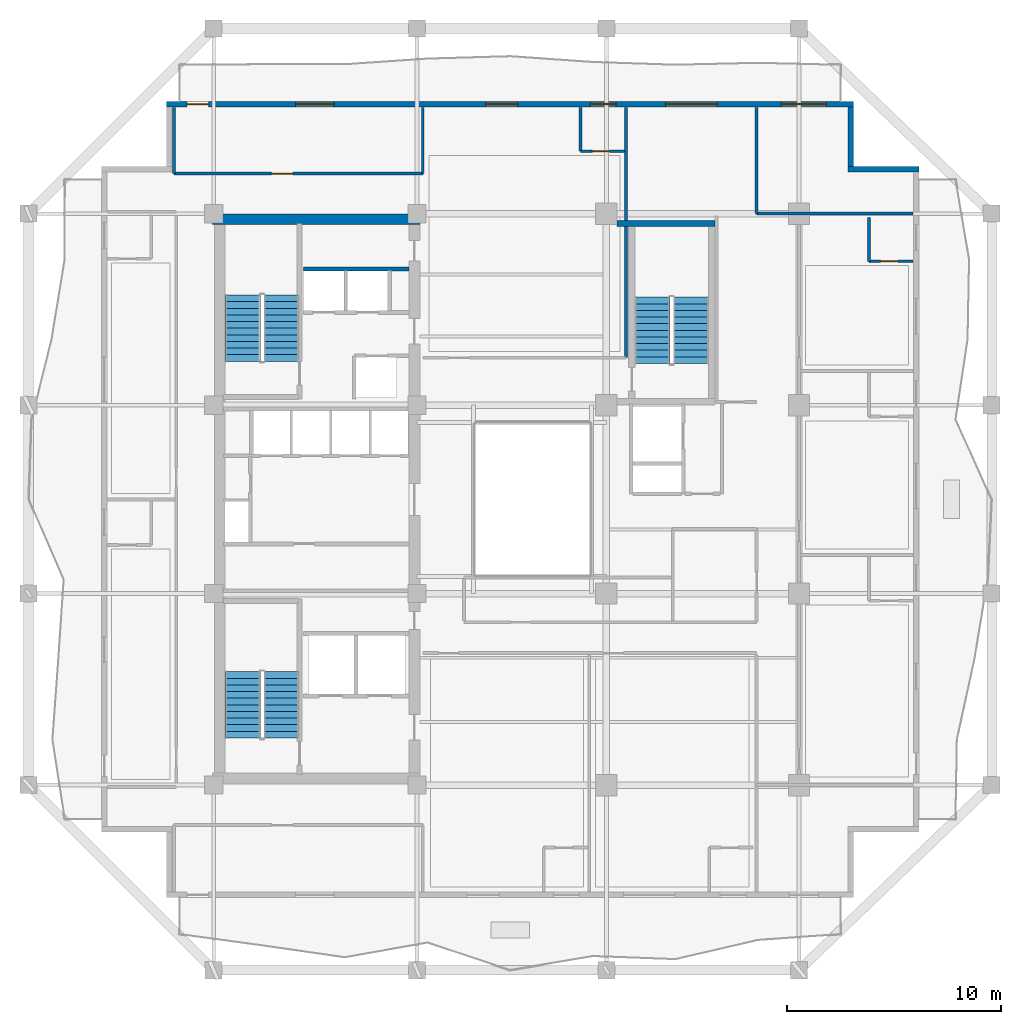
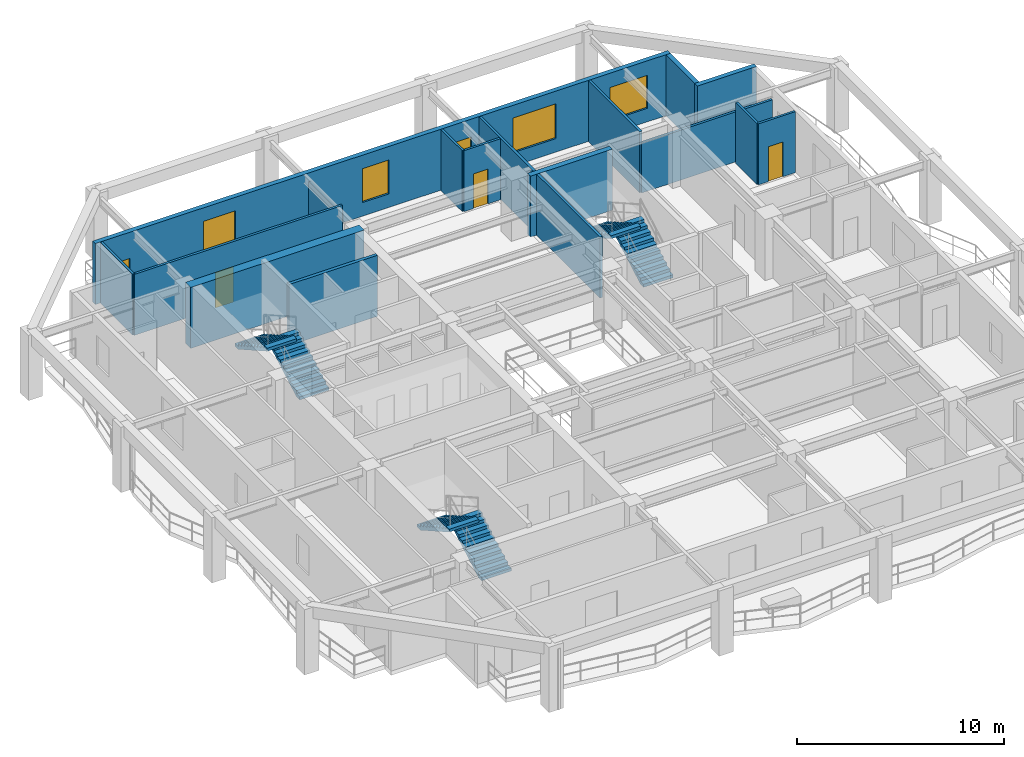
# One storey, part 6 of 10: 16 walls, 6 stair flights, 5 windows, 4 doors, 9 openings, 3 elements without a shape of their own.
"""IFC4 building model written with IfcOpenShell, lengths in metres."""

from ifc_helpers import new_model, si_unit, direction, frame, frame_2d, origin, place, context, subcontext, project, spatial, polyline, rectangle, outline, extrude, material, layer, layer_set, type_object, element, fill, aggregate, save


model = new_model("IFC4")

# Units and contexts
model_context = context("Model", 3, precision=1e-05, world=origin(), true_north=direction((0.0, 1.0)))
body_context = subcontext(model_context, "Body", "Model", "MODEL_VIEW")
ifc_project = project(units=[si_unit("LENGTHUNIT", "METRE"), si_unit("AREAUNIT", "SQUARE_METRE"), si_unit("VOLUMEUNIT", "CUBIC_METRE"), si_unit("PLANEANGLEUNIT", "RADIAN"), si_unit("MASSUNIT", "GRAM", prefix="KILO")], contexts=[model_context])

# Site, building, storey
site_placement = place(None, origin())
site = spatial("IfcSite", under=ifc_project, at=site_placement, CompositionType="ELEMENT")
building_placement = place(site_placement, origin())
building = spatial("IfcBuilding", under=site, at=building_placement, Name="Kundavana Baori Tower", CompositionType="ELEMENT")
storey_placement = place(building_placement, frame((0.0, 0.0, 115.550048828125)))
storey = spatial("IfcBuildingStorey", under=building, at=storey_placement, Name="L27", CompositionType="ELEMENT", Elevation=115.550048828125)

# Walls
ifc_material_1 = material(Name="Concrete C50/60", Category="concrete")
ifc_layer_1 = layer(ifc_material_1, 0.5, Name="WL-CORE-500")
ifc_layer_set_1 = layer_set([ifc_layer_1], Name="Concrete C50/60")
wall_type_1 = type_object("IfcWallType", Name="WL-CORE-500", PredefinedType="SHEAR", material=ifc_layer_set_1)
wall_1_placement = place(storey_placement, frame((15.39990234375, 41.68994140625, 0.0), z_axis=(0.0, 0.0, 1.0), x_axis=(1.0, 0.0, 0.0)))
element("IfcWall", 1, at=wall_1_placement, inside=storey, type_object=wall_type_1, Name="L27 Offset Core North Shear Wall", PredefinedType="SHEAR", context=body_context, shape_type="SweptSolid", body=[
    extrude(rectangle(XDim=9.68017578125, YDim=0.5, at=frame_2d((4.840087890625, 0.0))), origin(), (0.0, 0.0, 1.0), 3.599853515625),
])
ifc_material_2 = material(Name="Kiln-Fired Terracotta Brick-Slip Masonry on Concrete C40/50", Category="masonry")
ifc_layer_2 = layer(ifc_material_2, 0.260009765625, Name="WL-EXT-BRK-260")
ifc_layer_set_2 = layer_set([ifc_layer_2], Name="Kiln-Fired Terracotta Brick-Slip Masonry on Concrete C40/50")
wall_type_2 = type_object("IfcWallType", Name="WL-EXT-BRK-260", PredefinedType="SOLIDWALL", material=ifc_layer_set_2)
wall_2_placement = place(storey_placement, frame((48.39990234375, 44.02001953125, 0.0), z_axis=(0.0, 0.0, 1.0), x_axis=(-1.0, 0.0, 0.0)))
element("IfcWall", 2, at=wall_2_placement, inside=storey, type_object=wall_type_2, Name="L27 Exterior Insulated Facade Wall 05", PredefinedType="SOLIDWALL", context=body_context, shape_type="SweptSolid", body=[
    extrude(rectangle(XDim=3.309814453125, YDim=0.260009765625, at=frame_2d((1.65478515625, 0.0))), origin(), (0.0, 0.0, 1.0), 3.599853515625),
])
wall_3_placement = place(storey_placement, frame((45.219970703125, 44.14990234375, 0.0), z_axis=(0.0, 0.0, 1.0), x_axis=(0.0, 1.0, 0.0)))
element("IfcWall", 3, at=wall_3_placement, inside=storey, type_object=wall_type_2, Name="L27 Exterior Insulated Facade Wall 06", PredefinedType="SOLIDWALL", context=body_context, shape_type="SweptSolid", body=[
    extrude(rectangle(XDim=2.7900390625, YDim=0.260009765625, at=frame_2d((1.39501953125, 0.0))), origin(), (0.0, 0.0, 1.0), 3.599853515625),
])

# Wall, openings, door, windows
wall_4_placement = place(storey_placement, frame((45.35009765625, 47.070068359375, 0.0), z_axis=(0.0, 0.0, 1.0), x_axis=(-1.0, 0.0, 0.0)))
wall_4 = element("IfcWall", 4, at=wall_4_placement, inside=storey, type_object=wall_type_2, Name="L27 Exterior Insulated Facade Wall 07", PredefinedType="SOLIDWALL", context=body_context, shape_type="SweptSolid", body=[
    extrude(rectangle(XDim=32.10009765625, YDim=0.260009765625, at=frame_2d((16.050048828125, 0.0))), origin(), (0.0, 0.0, 1.0), 3.599853515625),
])
opening_1_placement = place(wall_4_placement, frame((30.14990234375, 0.0, 0.0)))
opening_1 = element("IfcOpeningElement", 5, at=opening_1_placement, cuts=wall_4, Name="Opening BD-1", PredefinedType="OPENING", context=body_context, shape_type="SweptSolid", body=[
    extrude(rectangle(XDim=1.0, YDim=2.050048828125, at=frame_2d((0.5, 1.02490234375))), frame((0.0, 0.14013671875, 0.0), z_axis=(0.0, -1.0, 0.0), x_axis=(1.0, 0.0, 0.0)), (0.0, 0.0, 1.0), 0.280029296875),
])
opening_2_placement = place(wall_4_placement, frame((24.27001953125, 0.0, 0.800048828125)))
opening_2 = element("IfcOpeningElement", 6, at=opening_2_placement, cuts=wall_4, Name="Opening W-01", PredefinedType="OPENING", context=body_context, shape_type="SweptSolid", body=[
    extrude(rectangle(XDim=1.800048828125, YDim=2.0, at=frame_2d((0.89990234375, 1.0))), frame((0.0, 0.14013671875, 0.0), z_axis=(0.0, -1.0, 0.0), x_axis=(1.0, 0.0, 0.0)), (0.0, 0.0, 1.0), 0.280029296875),
])
opening_3_placement = place(wall_4_placement, frame((15.695068359375, 0.0, 0.800048828125)))
opening_3 = element("IfcOpeningElement", 7, at=opening_3_placement, cuts=wall_4, Name="Opening W-02", PredefinedType="OPENING", context=body_context, shape_type="SweptSolid", body=[
    extrude(rectangle(XDim=1.5, YDim=2.0, at=frame_2d((0.75, 1.0))), frame((0.0, 0.14013671875, 0.0), z_axis=(0.0, -1.0, 0.0), x_axis=(1.0, 0.0, 0.0)), (0.0, 0.0, 1.0), 0.280029296875),
])
opening_4_placement = place(wall_4_placement, frame((11.094970703125, 0.0, 0.800048828125)))
opening_4 = element("IfcOpeningElement", 8, at=opening_4_placement, cuts=wall_4, Name="Opening W-03", PredefinedType="OPENING", context=body_context, shape_type="SweptSolid", body=[
    extrude(rectangle(XDim=1.199951171875, YDim=1.75, at=frame_2d((0.60009765625, 0.875))), frame((0.0, 0.14013671875, 0.0), z_axis=(0.0, -1.0, 0.0), x_axis=(1.0, 0.0, 0.0)), (0.0, 0.0, 1.0), 0.280029296875),
])
opening_5_placement = place(wall_4_placement, frame((6.3798828125, 0.0, 0.800048828125)))
opening_5 = element("IfcOpeningElement", 9, at=opening_5_placement, cuts=wall_4, Name="Opening W-04", PredefinedType="OPENING", context=body_context, shape_type="SweptSolid", body=[
    extrude(rectangle(XDim=2.39990234375, YDim=2.050048828125, at=frame_2d((1.199951171875, 1.02490234375))), frame((0.0, 0.14013671875, 0.0), z_axis=(0.0, -1.0, 0.0), x_axis=(1.0, 0.0, 0.0)), (0.0, 0.0, 1.0), 0.280029296875),
])
opening_6_placement = place(wall_4_placement, frame((1.27001953125, 0.0, 0.800048828125)))
opening_6 = element("IfcOpeningElement", 10, at=opening_6_placement, cuts=wall_4, Name="Opening W-05", PredefinedType="OPENING", context=body_context, shape_type="SweptSolid", body=[
    extrude(rectangle(XDim=2.10009765625, YDim=1.949951171875, at=frame_2d((1.050048828125, 0.97509765625))), frame((0.0, 0.14013671875, 0.0), z_axis=(0.0, -1.0, 0.0), x_axis=(1.0, 0.0, 0.0)), (0.0, 0.0, 1.0), 0.280029296875),
])
ifc_material_3 = material(Name="Architectural Patinated Bronze Metalwork")
door_type_1 = type_object("IfcDoorType", Name="DR-EXT-LOG-1000", OperationType="NOTDEFINED", PredefinedType="DOOR", material=ifc_material_3)
door_1_placement = place(opening_1_placement, frame((1.0, 0.0, 0.0), z_axis=(0.0, 0.0, 1.0), x_axis=(-1.0, 0.0, 0.0)))
door_1 = element("IfcDoor", 11, at=door_1_placement, inside=storey, type_object=door_type_1, Name="L27 Loggia Balcony Access Door N", OperationType="SINGLE_SWING_LEFT", OverallHeight=2.050048828125, OverallWidth=1.0, PredefinedType="DOOR", context=body_context, shape_type="SweptSolid", body=[
    extrude(rectangle(XDim=1.0, YDim=2.050048828125, at=frame_2d((0.5, 1.02490234375))), frame((0.0, 0.02490234375, 0.0), z_axis=(0.0, -1.0, 0.0), x_axis=(1.0, 0.0, 0.0)), (0.0, 0.0, 1.0), 0.050048828125),
])
fill(opening_1, door_1)
ifc_material_4 = material(Name="Double-Glazed Solar-Control Low-E Insulated Glass", Category="glass")
window_type_1 = type_object("IfcWindowType", Name="WIN-LOG-1200x1750", PartitioningType="SINGLE_PANEL", PredefinedType="WINDOW", material=ifc_material_4)
window_1_placement = place(opening_4_placement, origin())
window_1 = element("IfcWindow", 12, at=window_1_placement, inside=storey, type_object=window_type_1, Name="L27 Recessed Loggia Window N-3", OverallHeight=1.75, OverallWidth=1.199951171875, PartitioningType="SINGLE_PANEL", PredefinedType="WINDOW", context=body_context, shape_type="SweptSolid", body=[
    extrude(rectangle(XDim=1.199951171875, YDim=1.75, at=frame_2d((0.60009765625, 0.875))), frame((0.0, 0.030029296875, 0.0), z_axis=(0.0, -1.0, 0.0), x_axis=(1.0, 0.0, 0.0)), (0.0, 0.0, 1.0), 0.06005859375),
])
fill(opening_4, window_1)
ifc_material_5 = material(Name="Double-Glazed Solar-Control Low-E Insulated Glass", Category="glass")
window_type_2 = type_object("IfcWindowType", Name="WIN-LOG-1500x2000", PartitioningType="SINGLE_PANEL", PredefinedType="WINDOW", material=ifc_material_5)
window_2_placement = place(opening_3_placement, origin())
window_2 = element("IfcWindow", 13, at=window_2_placement, inside=storey, type_object=window_type_2, Name="L27 Recessed Loggia Window N-2", OverallHeight=2.0, OverallWidth=1.5, PartitioningType="SINGLE_PANEL", PredefinedType="WINDOW", context=body_context, shape_type="SweptSolid", body=[
    extrude(rectangle(XDim=1.5, YDim=2.0, at=frame_2d((0.75, 1.0))), frame((0.0, 0.030029296875, 0.0), z_axis=(0.0, -1.0, 0.0), x_axis=(1.0, 0.0, 0.0)), (0.0, 0.0, 1.0), 0.06005859375),
])
fill(opening_3, window_2)
ifc_material_6 = material(Name="Double-Glazed Solar-Control Low-E Insulated Glass", Category="glass")
window_type_3 = type_object("IfcWindowType", Name="WIN-LOG-1800x2000", PartitioningType="SINGLE_PANEL", PredefinedType="WINDOW", material=ifc_material_6)
window_3_placement = place(opening_2_placement, origin())
window_3 = element("IfcWindow", 14, at=window_3_placement, inside=storey, type_object=window_type_3, Name="L27 Recessed Loggia Window N-1", OverallHeight=2.0, OverallWidth=1.800048828125, PartitioningType="SINGLE_PANEL", PredefinedType="WINDOW", context=body_context, shape_type="SweptSolid", body=[
    extrude(rectangle(XDim=1.800048828125, YDim=2.0, at=frame_2d((0.89990234375, 1.0))), frame((0.0, 0.030029296875, 0.0), z_axis=(0.0, -1.0, 0.0), x_axis=(1.0, 0.0, 0.0)), (0.0, 0.0, 1.0), 0.06005859375),
])
fill(opening_2, window_3)
ifc_material_7 = material(Name="Double-Glazed Solar-Control Low-E Insulated Glass", Category="glass")
window_type_4 = type_object("IfcWindowType", Name="WIN-LOG-2100x1950", PartitioningType="SINGLE_PANEL", PredefinedType="WINDOW", material=ifc_material_7)
window_4_placement = place(opening_6_placement, origin())
window_4 = element("IfcWindow", 15, at=window_4_placement, inside=storey, type_object=window_type_4, Name="L27 Recessed Loggia Window N-5", OverallHeight=1.949951171875, OverallWidth=2.10009765625, PartitioningType="SINGLE_PANEL", PredefinedType="WINDOW", context=body_context, shape_type="SweptSolid", body=[
    extrude(rectangle(XDim=2.10009765625, YDim=1.949951171875, at=frame_2d((1.050048828125, 0.97509765625))), frame((0.0, 0.030029296875, 0.0), z_axis=(0.0, -1.0, 0.0), x_axis=(1.0, 0.0, 0.0)), (0.0, 0.0, 1.0), 0.06005859375),
])
fill(opening_6, window_4)
ifc_material_8 = material(Name="Double-Glazed Solar-Control Low-E Insulated Glass", Category="glass")
window_type_5 = type_object("IfcWindowType", Name="WIN-LOG-2400x2050", PartitioningType="SINGLE_PANEL", PredefinedType="WINDOW", material=ifc_material_8)
window_5_placement = place(opening_5_placement, origin())
window_5 = element("IfcWindow", 16, at=window_5_placement, inside=storey, type_object=window_type_5, Name="L27 Recessed Loggia Window N-4", OverallHeight=2.050048828125, OverallWidth=2.39990234375, PartitioningType="SINGLE_PANEL", PredefinedType="WINDOW", context=body_context, shape_type="SweptSolid", body=[
    extrude(rectangle(XDim=2.39990234375, YDim=2.050048828125, at=frame_2d((1.199951171875, 1.02490234375))), frame((0.0, 0.030029296875, 0.0), z_axis=(0.0, -1.0, 0.0), x_axis=(1.0, 0.0, 0.0)), (0.0, 0.0, 1.0), 0.06005859375),
])
fill(opening_5, window_5)

# Wall
ifc_material_9 = material(Name="Acoustic Gypsum Plasterboard on Galvanised Steel Studs", Category="steel")
ifc_layer_3 = layer(ifc_material_9, 0.135009765625, Name="WL-PART-135")
ifc_layer_set_3 = layer_set([ifc_layer_3], Name="Acoustic Gypsum Plasterboard on Galvanised Steel Studs")
wall_type_3 = type_object("IfcWallType", Name="WL-PART-135", PredefinedType="PARTITIONING", material=ifc_layer_set_3)
wall_5_placement = place(storey_placement, frame((40.820068359375, 41.949951171875, 0.0), z_axis=(0.0, 0.0, 1.0), x_axis=(1.0, 0.0, 0.0)))
element("IfcWall", 17, at=wall_5_placement, inside=storey, type_object=wall_type_3, Name="WL-L27-HEN", PredefinedType="PARTITIONING", context=body_context, shape_type="SweptSolid", body=[
    extrude(rectangle(XDim=7.300048828125, YDim=0.135009765625, at=frame_2d((3.64990234375, 0.0))), origin(), (0.0, 0.0, 1.0), 2.949951171875),
])

# Wall, opening, door
wall_6_placement = place(storey_placement, frame((13.590087890625, 43.820068359375, 0.0), z_axis=(0.0, 0.0, 1.0), x_axis=(1.0, 0.0, 0.0)))
wall_6 = element("IfcWall", 18, at=wall_6_placement, inside=storey, type_object=wall_type_3, Name="WL-L27-HNC", PredefinedType="PARTITIONING", context=body_context, shape_type="SweptSolid", body=[
    extrude(rectangle(XDim=11.6298828125, YDim=0.135009765625, at=frame_2d((5.81494140625, 0.0))), origin(), (0.0, 0.0, 1.0), 3.599853515625),
])
opening_7_placement = place(wall_6_placement, frame((4.56005859375, 0.0, 0.0)))
opening_7 = element("IfcOpeningElement", 19, at=opening_7_placement, cuts=wall_6, Name="Opening ID-100", PredefinedType="OPENING", context=body_context, shape_type="SweptSolid", body=[
    extrude(rectangle(XDim=1.0, YDim=2.080078125, at=frame_2d((0.5, 1.0400390625))), frame((0.0, 0.07763671875, 0.0), z_axis=(0.0, -1.0, 0.0), x_axis=(1.0, 0.0, 0.0)), (0.0, 0.0, 1.0), 0.155029296875),
])
ifc_material_10 = material(Name="Engineered Teak Solid-Core Timber Veneer", Category="wood")
door_type_2 = type_object("IfcDoorType", Name="DR-INT-1000", OperationType="NOTDEFINED", PredefinedType="DOOR", material=ifc_material_10)
door_2_placement = place(opening_7_placement, origin())
door_2 = element("IfcDoor", 20, at=door_2_placement, inside=storey, type_object=door_type_2, Name="DR-L27-HMNW", OperationType="SINGLE_SWING_RIGHT", OverallHeight=2.080078125, OverallWidth=1.0, PredefinedType="DOOR", context=body_context, shape_type="SweptSolid", body=[
    extrude(rectangle(XDim=1.0, YDim=2.080078125, at=frame_2d((0.5, 1.0400390625))), frame((0.0, 0.02490234375, 0.0), z_axis=(0.0, -1.0, 0.0), x_axis=(1.0, 0.0, 0.0)), (0.0, 0.0, 1.0), 0.050048828125),
])
fill(opening_7, door_2)

# Walls
wall_7_placement = place(storey_placement, frame((13.590087890625, 43.820068359375, 0.0), z_axis=(0.0, 0.0, 1.0), x_axis=(0.0, 1.0, 0.0)))
element("IfcWall", 21, at=wall_7_placement, inside=storey, type_object=wall_type_3, Name="WL-L27-HNCW", PredefinedType="PARTITIONING", context=body_context, shape_type="SweptSolid", body=[
    extrude(rectangle(XDim=3.099853515625, YDim=0.135009765625, at=frame_2d((1.5498046875, 0.0))), origin(), (0.0, 0.0, 1.0), 3.599853515625),
])
wall_8_placement = place(storey_placement, frame((25.219970703125, 43.820068359375, 0.0), z_axis=(0.0, 0.0, 1.0), x_axis=(0.0, 1.0, 0.0)))
element("IfcWall", 22, at=wall_8_placement, inside=storey, type_object=wall_type_3, Name="WL-L27-HNCE", PredefinedType="PARTITIONING", context=body_context, shape_type="SweptSolid", body=[
    extrude(rectangle(XDim=3.099853515625, YDim=0.135009765625, at=frame_2d((1.5498046875, 0.0))), origin(), (0.0, 0.0, 1.0), 3.099853515625),
])
wall_9_placement = place(storey_placement, frame((34.719970703125, 35.219970703125, 0.0), z_axis=(0.0, 0.0, 1.0), x_axis=(0.0, 1.0, 0.0)))
element("IfcWall", 23, at=wall_9_placement, inside=storey, type_object=wall_type_3, Name="WL-L27-HNEND", PredefinedType="PARTITIONING", context=body_context, shape_type="SweptSolid", body=[
    extrude(rectangle(XDim=11.699951171875, YDim=0.135009765625, at=frame_2d((5.85009765625, 0.0))), origin(), (0.0, 0.0, 1.0), 3.599853515625),
])
wall_10_placement = place(storey_placement, frame((40.820068359375, 41.949951171875, 0.0), z_axis=(0.0, 0.0, 1.0), x_axis=(0.0, 1.0, 0.0)))
element("IfcWall", 24, at=wall_10_placement, inside=storey, type_object=wall_type_3, Name="WL-L27-HNEE", PredefinedType="PARTITIONING", context=body_context, shape_type="SweptSolid", body=[
    extrude(rectangle(XDim=4.969970703125, YDim=0.135009765625, at=frame_2d((2.48486328125, 0.0))), origin(), (0.0, 0.0, 1.0), 3.599853515625),
])
ifc_material_11 = material(Name="Autoclaved Aerated Concrete Blockwork Masonry", Category="masonry")
ifc_layer_4 = layer(ifc_material_11, 0.179931640625, Name="WL-SHAFT-180")
ifc_layer_set_4 = layer_set([ifc_layer_4], Name="Autoclaved Aerated Concrete Blockwork Masonry")
wall_type_4 = type_object("IfcWallType", Name="WL-SHAFT-180", PredefinedType="SOLIDWALL", material=ifc_layer_set_4)
wall_11_placement = place(storey_placement, frame((19.639892578125, 39.360107421875, 0.0), z_axis=(0.0, 0.0, 1.0), x_axis=(1.0, 0.0, 0.0)))
element("IfcWall", 25, at=wall_11_placement, inside=storey, type_object=wall_type_4, Name="WL-L27-HRLOB-TOP", PredefinedType="SOLIDWALL", context=body_context, shape_type="SweptSolid", body=[
    extrude(rectangle(XDim=4.940185546875, YDim=0.179931640625, at=frame_2d((2.47021484375, 0.0))), origin(), (0.0, 0.0, 1.0), 3.599853515625),
])
ifc_material_12 = material(Name="Concrete C50/60", Category="concrete")
ifc_layer_5 = layer(ifc_material_12, 0.300048828125, Name="WL-ST3-300")
ifc_layer_set_5 = layer_set([ifc_layer_5], Name="Concrete C50/60")
wall_type_5 = type_object("IfcWallType", Name="WL-ST3-300", PredefinedType="SHEAR", material=ifc_layer_set_5)
wall_12_placement = place(storey_placement, frame((34.300048828125, 41.489990234375, 0.0), z_axis=(0.0, 0.0, 1.0), x_axis=(1.0, 0.0, 0.0)))
element("IfcWall", 26, at=wall_12_placement, inside=storey, type_object=wall_type_5, Name="L27 Stair ST3 North Shear Wall", PredefinedType="SHEAR", context=body_context, shape_type="SweptSolid", body=[
    extrude(rectangle(XDim=4.570068359375, YDim=0.300048828125, at=frame_2d((2.28515625, 0.0))), origin(), (0.0, 0.0, 1.0), 3.599853515625),
])
ifc_material_13 = material(Name="Autoclaved Aerated Concrete Blockwork Masonry", Category="masonry")
ifc_layer_6 = layer(ifc_material_13, 0.125, Name="WL-WET-120")
ifc_layer_set_6 = layer_set([ifc_layer_6], Name="Autoclaved Aerated Concrete Blockwork Masonry")
wall_type_6 = type_object("IfcWallType", Name="WL-WET-120", PredefinedType="PLUMBINGWALL", material=ifc_layer_set_6)
wall_13_placement = place(storey_placement, frame((46.070068359375, 39.719970703125, 0.0), z_axis=(0.0, 0.0, 1.0), x_axis=(0.0, 1.0, 0.0)))
element("IfcWall", 27, at=wall_13_placement, inside=storey, type_object=wall_type_6, Name="WL-L27-HK-E3-BW", PredefinedType="PLUMBINGWALL", context=body_context, shape_type="SweptSolid", body=[
    extrude(rectangle(XDim=2.050048828125, YDim=0.125, at=frame_2d((1.02490234375, 0.0))), origin(), (0.0, 0.0, 1.0), 3.599853515625),
])

# Wall, opening, door
wall_14_placement = place(storey_placement, frame((46.070068359375, 39.719970703125, 0.0), z_axis=(0.0, 0.0, 1.0), x_axis=(1.0, 0.0, 0.0)))
wall_14 = element("IfcWall", 28, at=wall_14_placement, inside=storey, type_object=wall_type_6, Name="WL-L27-HK-E3-BS", PredefinedType="PLUMBINGWALL", context=body_context, shape_type="SweptSolid", body=[
    extrude(rectangle(XDim=2.050048828125, YDim=0.125, at=frame_2d((1.02490234375, 0.0))), origin(), (0.0, 0.0, 1.0), 3.599853515625),
])
opening_8_placement = place(wall_14_placement, frame((0.550048828125, 0.0, 0.0)))
opening_8 = element("IfcOpeningElement", 29, at=opening_8_placement, cuts=wall_14, Name="Opening WD-080", PredefinedType="OPENING", context=body_context, shape_type="SweptSolid", body=[
    extrude(rectangle(XDim=0.800048828125, YDim=2.050048828125, at=frame_2d((0.39990234375, 1.02490234375))), frame((0.0, 0.072509765625, 0.0), z_axis=(0.0, -1.0, 0.0), x_axis=(1.0, 0.0, 0.0)), (0.0, 0.0, 1.0), 0.14501953125),
])
ifc_material_14 = material(Name="Engineered Teak Solid-Core Timber Veneer", Category="wood")
door_type_3 = type_object("IfcDoorType", Name="DR-WET-800", OperationType="NOTDEFINED", PredefinedType="DOOR", material=ifc_material_14)
door_3_placement = place(opening_8_placement, frame((0.800048828125, 0.0, 0.0), z_axis=(0.0, 0.0, 1.0), x_axis=(-1.0, 0.0, 0.0)))
door_3 = element("IfcDoor", 30, at=door_3_placement, inside=storey, type_object=door_type_3, Name="DR-L27-HK-E3-ENS", OperationType="SINGLE_SWING_LEFT", OverallHeight=2.050048828125, OverallWidth=0.800048828125, PredefinedType="DOOR", context=body_context, shape_type="SweptSolid", body=[
    extrude(rectangle(XDim=0.800048828125, YDim=2.050048828125, at=frame_2d((0.39990234375, 1.02490234375))), frame((0.0, 0.02490234375, 0.0), z_axis=(0.0, -1.0, 0.0), x_axis=(1.0, 0.0, 0.0)), (0.0, 0.0, 1.0), 0.050048828125),
])
fill(opening_8, door_3)

# Wall
wall_15_placement = place(storey_placement, frame((32.590087890625, 44.8701171875, 0.0), z_axis=(0.0, 0.0, 1.0), x_axis=(0.0, 1.0, 0.0)))
element("IfcWall", 31, at=wall_15_placement, inside=storey, type_object=wall_type_6, Name="WL-L27-HK-N1-BW", PredefinedType="PLUMBINGWALL", context=body_context, shape_type="SweptSolid", body=[
    extrude(rectangle(XDim=2.0498046875, YDim=0.125, at=frame_2d((1.02490234375, 0.0))), origin(), (0.0, 0.0, 1.0), 3.599853515625),
])

# Wall, opening, door
wall_16_placement = place(storey_placement, frame((32.590087890625, 44.8701171875, 0.0), z_axis=(0.0, 0.0, 1.0), x_axis=(1.0, 0.0, 0.0)))
wall_16 = element("IfcWall", 32, at=wall_16_placement, inside=storey, type_object=wall_type_6, Name="WL-L27-HK-N1-BS", PredefinedType="PLUMBINGWALL", context=body_context, shape_type="SweptSolid", body=[
    extrude(rectangle(XDim=2.0498046875, YDim=0.125, at=frame_2d((1.02490234375, 0.0))), origin(), (0.0, 0.0, 1.0), 3.599853515625),
])
opening_9_placement = place(wall_16_placement, frame((0.550048828125, 0.0, 0.0)))
opening_9 = element("IfcOpeningElement", 33, at=opening_9_placement, cuts=wall_16, Name="Opening WD-080", PredefinedType="OPENING", context=body_context, shape_type="SweptSolid", body=[
    extrude(rectangle(XDim=0.800048828125, YDim=2.050048828125, at=frame_2d((0.39990234375, 1.02490234375))), frame((0.0, 0.072509765625, 0.0), z_axis=(0.0, -1.0, 0.0), x_axis=(1.0, 0.0, 0.0)), (0.0, 0.0, 1.0), 0.14501953125),
])
door_4_placement = place(opening_9_placement, frame((0.800048828125, 0.0, 0.0), z_axis=(0.0, 0.0, 1.0), x_axis=(-1.0, 0.0, 0.0)))
door_4 = element("IfcDoor", 34, at=door_4_placement, inside=storey, type_object=door_type_3, Name="DR-L27-HK-N1-ENS", OperationType="SINGLE_SWING_LEFT", OverallHeight=2.050048828125, OverallWidth=0.800048828125, PredefinedType="DOOR", context=body_context, shape_type="SweptSolid", body=[
    extrude(rectangle(XDim=0.800048828125, YDim=2.050048828125, at=frame_2d((0.39990234375, 1.02490234375))), frame((0.0, 0.02490234375, 0.0), z_axis=(0.0, -1.0, 0.0), x_axis=(1.0, 0.0, 0.0)), (0.0, 0.0, 1.0), 0.050048828125),
])
fill(opening_9, door_4)

# Stair, stair flights
ifc_material_15 = material(Name="Concrete C40/50", Category="concrete")
stair_type = type_object("IfcStairType", Name="STR-DOG-1650", PredefinedType="HALF_TURN_STAIR", material=ifc_material_15)
stair_1_placement = place(storey_placement, origin())
stair_1 = element("IfcStair", 35, at=stair_1_placement, inside=storey, type_object=stair_type, Name="L27 Protected Exit Stair ST1", PredefinedType="HALF_TURN_STAIR")
ifc_material_16 = material(Name="Concrete C40/50", Category="concrete")
stair_flight_type = type_object("IfcStairFlightType", Name="SFL-RC-1650", PredefinedType="STRAIGHT", material=ifc_material_16)
stair_flight_1_placement = place(storey_placement, frame((18.614990234375, 17.449951171875, 0.0), z_axis=(0.0, 0.0, 1.0), x_axis=(0.0, 1.0, 0.0)))
stair_flight_1 = element("IfcStairFlight", 36, at=stair_flight_1_placement, type_object=stair_flight_type, Name="ST1 flight 1", NumberOfRisers=11, NumberOfTreads=10, PredefinedType="STRAIGHT", RiserHeight=0.175, TreadLength=0.31, context=body_context, shape_type="SweptSolid", body=[
    extrude(outline(polyline([(0.0, 0.0), (0.0, 0.175048828125), (0.31005859375, 0.175048828125), (0.31005859375, 0.35009765625), (0.6201171875, 0.35009765625), (0.6201171875, 0.52490234375), (0.929931640625, 0.52490234375), (0.929931640625, 0.699951171875), (1.239990234375, 0.699951171875), (1.239990234375, 0.875), (1.550048828125, 0.875), (1.550048828125, 1.050048828125), (1.860107421875, 1.050048828125), (1.860107421875, 1.22509765625), (2.169921875, 1.22509765625), (2.169921875, 1.39990234375), (2.47998046875, 1.39990234375), (2.47998046875, 1.574951171875), (2.7900390625, 1.574951171875), (2.7900390625, 1.75), (3.10009765625, 1.75), (3.10009765625, 1.925048828125), (3.10009765625, 1.577880859375), (0.304931640625, 0.0), (0.0, 0.0)])), frame((0.0, 0.824951171875, 0.0), z_axis=(0.0, -1.0, 0.0), x_axis=(1.0, 0.0, 0.0)), (0.0, 0.0, 1.0), 1.64990234375),
])
stair_flight_2_placement = place(storey_placement, frame((16.804931640625, 20.550048828125, 1.925048828125), z_axis=(0.0, 0.0, 1.0), x_axis=(0.0, -1.0, 0.0)))
stair_flight_2 = element("IfcStairFlight", 37, at=stair_flight_2_placement, type_object=stair_flight_type, Name="ST1 flight 2", NumberOfRisers=11, NumberOfTreads=10, PredefinedType="STRAIGHT", RiserHeight=0.175, TreadLength=0.31, context=body_context, shape_type="SweptSolid", body=[
    extrude(outline(polyline([(0.0, 0.0), (0.0, 0.175048828125), (0.31005859375, 0.175048828125), (0.31005859375, 0.35009765625), (0.6201171875, 0.35009765625), (0.6201171875, 0.52490234375), (0.929931640625, 0.52490234375), (0.929931640625, 0.699951171875), (1.239990234375, 0.699951171875), (1.239990234375, 0.875), (1.550048828125, 0.875), (1.550048828125, 1.050048828125), (1.860107421875, 1.050048828125), (1.860107421875, 1.22509765625), (2.169921875, 1.22509765625), (2.169921875, 1.39990234375), (2.47998046875, 1.39990234375), (2.47998046875, 1.574951171875), (2.7900390625, 1.574951171875), (2.7900390625, 1.75), (3.10009765625, 1.75), (3.10009765625, 1.925048828125), (3.10009765625, 1.577880859375), (0.304931640625, 0.0), (0.0, 0.0)])), frame((0.0, 0.824951171875, 0.0), z_axis=(0.0, -1.0, 0.0), x_axis=(1.0, 0.0, 0.0)), (0.0, 0.0, 1.0), 1.64990234375),
])
aggregate(stair_1, [stair_flight_1, stair_flight_2])

stair_2_placement = place(storey_placement, origin())
stair_2 = element("IfcStair", 38, at=stair_2_placement, inside=storey, type_object=stair_type, Name="L27 Protected Exit Stair ST2", PredefinedType="HALF_TURN_STAIR")
stair_flight_3_placement = place(storey_placement, frame((18.614990234375, 35.050048828125, 0.0), z_axis=(0.0, 0.0, 1.0), x_axis=(0.0, 1.0, 0.0)))
stair_flight_3 = element("IfcStairFlight", 39, at=stair_flight_3_placement, type_object=stair_flight_type, Name="ST2 flight 1", NumberOfRisers=11, NumberOfTreads=10, PredefinedType="STRAIGHT", RiserHeight=0.175, TreadLength=0.31, context=body_context, shape_type="SweptSolid", body=[
    extrude(outline(polyline([(0.0, 0.0), (0.0, 0.175048828125), (0.31005859375, 0.175048828125), (0.31005859375, 0.35009765625), (0.6201171875, 0.35009765625), (0.6201171875, 0.52490234375), (0.929931640625, 0.52490234375), (0.929931640625, 0.699951171875), (1.239990234375, 0.699951171875), (1.239990234375, 0.875), (1.550048828125, 0.875), (1.550048828125, 1.050048828125), (1.860107421875, 1.050048828125), (1.860107421875, 1.22509765625), (2.169921875, 1.22509765625), (2.169921875, 1.39990234375), (2.47998046875, 1.39990234375), (2.47998046875, 1.574951171875), (2.7900390625, 1.574951171875), (2.7900390625, 1.75), (3.10009765625, 1.75), (3.10009765625, 1.925048828125), (3.10009765625, 1.577880859375), (0.304931640625, 0.0), (0.0, 0.0)])), frame((0.0, 0.824951171875, 0.0), z_axis=(0.0, -1.0, 0.0), x_axis=(1.0, 0.0, 0.0)), (0.0, 0.0, 1.0), 1.64990234375),
])
stair_flight_4_placement = place(storey_placement, frame((16.804931640625, 38.14990234375, 1.925048828125), z_axis=(0.0, 0.0, 1.0), x_axis=(0.0, -1.0, 0.0)))
stair_flight_4 = element("IfcStairFlight", 40, at=stair_flight_4_placement, type_object=stair_flight_type, Name="ST2 flight 2", NumberOfRisers=11, NumberOfTreads=10, PredefinedType="STRAIGHT", RiserHeight=0.175, TreadLength=0.31, context=body_context, shape_type="SweptSolid", body=[
    extrude(outline(polyline([(0.0, 0.0), (0.0, 0.175048828125), (0.31005859375, 0.175048828125), (0.31005859375, 0.35009765625), (0.6201171875, 0.35009765625), (0.6201171875, 0.52490234375), (0.929931640625, 0.52490234375), (0.929931640625, 0.699951171875), (1.239990234375, 0.699951171875), (1.239990234375, 0.875), (1.550048828125, 0.875), (1.550048828125, 1.050048828125), (1.860107421875, 1.050048828125), (1.860107421875, 1.22509765625), (2.169921875, 1.22509765625), (2.169921875, 1.39990234375), (2.47998046875, 1.39990234375), (2.47998046875, 1.574951171875), (2.7900390625, 1.574951171875), (2.7900390625, 1.75), (3.10009765625, 1.75), (3.10009765625, 1.925048828125), (3.10009765625, 1.577880859375), (0.304931640625, 0.0), (0.0, 0.0)])), frame((0.0, 0.824951171875, 0.0), z_axis=(0.0, -1.0, 0.0), x_axis=(1.0, 0.0, 0.0)), (0.0, 0.0, 1.0), 1.64990234375),
])
aggregate(stair_2, [stair_flight_3, stair_flight_4])

stair_3_placement = place(storey_placement, origin())
stair_3 = element("IfcStair", 41, at=stair_3_placement, inside=storey, type_object=stair_type, Name="L27 Protected Exit Stair ST3", PredefinedType="HALF_TURN_STAIR")
stair_flight_5_placement = place(storey_placement, frame((37.7548828125, 34.949951171875, 0.0), z_axis=(0.0, 0.0, 1.0), x_axis=(0.0, 1.0, 0.0)))
stair_flight_5 = element("IfcStairFlight", 42, at=stair_flight_5_placement, type_object=stair_flight_type, Name="ST3 flight 1", NumberOfRisers=11, NumberOfTreads=10, PredefinedType="STRAIGHT", RiserHeight=0.175, TreadLength=0.31, context=body_context, shape_type="SweptSolid", body=[
    extrude(outline(polyline([(0.0, 0.0), (0.0, 0.175048828125), (0.31005859375, 0.175048828125), (0.31005859375, 0.35009765625), (0.6201171875, 0.35009765625), (0.6201171875, 0.52490234375), (0.929931640625, 0.52490234375), (0.929931640625, 0.699951171875), (1.239990234375, 0.699951171875), (1.239990234375, 0.875), (1.550048828125, 0.875), (1.550048828125, 1.050048828125), (1.860107421875, 1.050048828125), (1.860107421875, 1.22509765625), (2.169921875, 1.22509765625), (2.169921875, 1.39990234375), (2.47998046875, 1.39990234375), (2.47998046875, 1.574951171875), (2.7900390625, 1.574951171875), (2.7900390625, 1.75), (3.10009765625, 1.75), (3.10009765625, 1.925048828125), (3.10009765625, 1.577880859375), (0.304931640625, 0.0), (0.0, 0.0)])), frame((0.0, 0.824951171875, 0.0), z_axis=(0.0, -1.0, 0.0), x_axis=(1.0, 0.0, 0.0)), (0.0, 0.0, 1.0), 1.64990234375),
])
stair_flight_6_placement = place(storey_placement, frame((35.945068359375, 38.050048828125, 1.925048828125), z_axis=(0.0, 0.0, 1.0), x_axis=(0.0, -1.0, 0.0)))
stair_flight_6 = element("IfcStairFlight", 43, at=stair_flight_6_placement, type_object=stair_flight_type, Name="ST3 flight 2", NumberOfRisers=11, NumberOfTreads=10, PredefinedType="STRAIGHT", RiserHeight=0.175, TreadLength=0.31, context=body_context, shape_type="SweptSolid", body=[
    extrude(outline(polyline([(0.0, 0.0), (0.0, 0.175048828125), (0.31005859375, 0.175048828125), (0.31005859375, 0.35009765625), (0.6201171875, 0.35009765625), (0.6201171875, 0.52490234375), (0.929931640625, 0.52490234375), (0.929931640625, 0.699951171875), (1.239990234375, 0.699951171875), (1.239990234375, 0.875), (1.550048828125, 0.875), (1.550048828125, 1.050048828125), (1.860107421875, 1.050048828125), (1.860107421875, 1.22509765625), (2.169921875, 1.22509765625), (2.169921875, 1.39990234375), (2.47998046875, 1.39990234375), (2.47998046875, 1.574951171875), (2.7900390625, 1.574951171875), (2.7900390625, 1.75), (3.10009765625, 1.75), (3.10009765625, 1.925048828125), (3.10009765625, 1.577880859375), (0.304931640625, 0.0), (0.0, 0.0)])), frame((0.0, 0.824951171875, 0.0), z_axis=(0.0, -1.0, 0.0), x_axis=(1.0, 0.0, 0.0)), (0.0, 0.0, 1.0), 1.64990234375),
])
aggregate(stair_3, [stair_flight_5, stair_flight_6])

save(model, "model.ifc")
